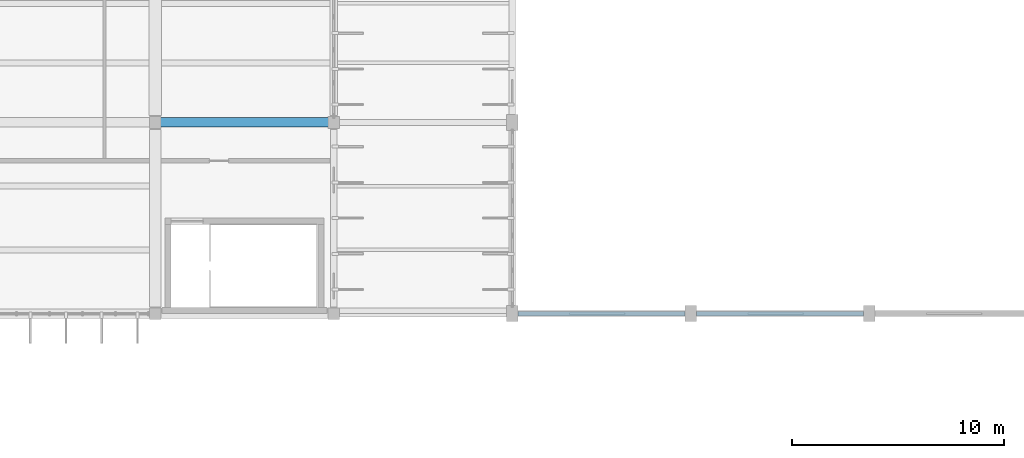
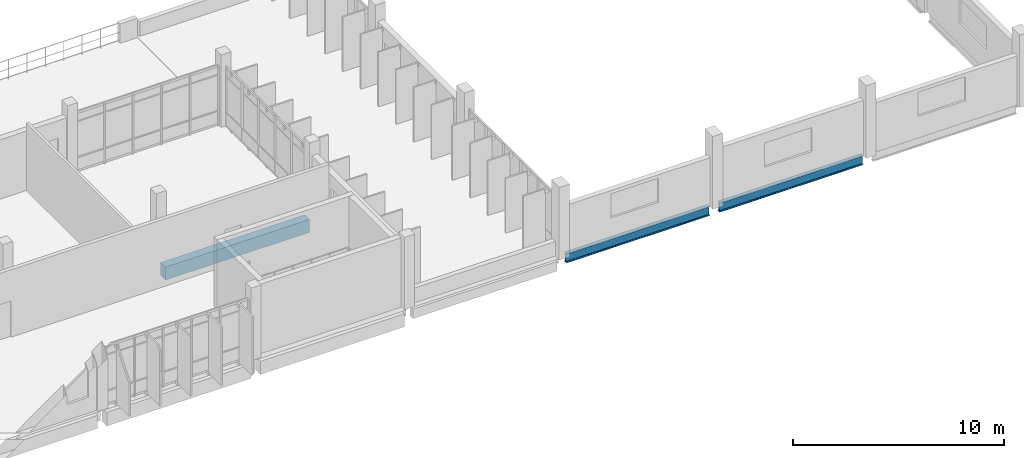
# One storey, part 86 of 130: 3 beams.
"""IFC4 building model written with IfcOpenShell, lengths in metres."""

import ifcopenshell
import ifcopenshell.guid

model = None  # the IFC model being written
_history = None  # IfcOwnerHistory: only IFC2X3 demands one
_inside = {}  # id of a spatial element -> (the spatial element, [elements in it])
_under = {}  # id of a project, library or spatial element -> (it, [spatial elements below it])
_declared = {}  # id of a project -> (the project, [libraries it declares])
_typed = {}  # id of a type object -> (the type object, [elements of that type])
_made_of = {}  # id of a material, layer set ... -> (it, [elements and type objects made of it])


def new_model(schema):
    """Start an empty IFC model of exactly this schema.

    Asked for "IFC4X3", IfcOpenShell would pick the latest addendum, in which some entities
    have other attributes; the version numbers below select the first issue.
    IFC2X3 requires an IfcOwnerHistory on every rooted entity: one is made here for all.
    """
    global model, _history
    if schema == "IFC4X3":
        model = ifcopenshell.file(schema_version=(4, 3, 0, 0))
    else:
        model = ifcopenshell.file(schema=schema)
    _inside.clear()
    _under.clear()
    _declared.clear()
    _typed.clear()
    _made_of.clear()
    _history = None
    if model.schema == "IFC2X3":
        org = make("IfcOrganization", Name="unknown")
        user = make(
            "IfcPersonAndOrganization",
            ThePerson=make("IfcPerson", FamilyName="unknown"),
            TheOrganization=org,
        )
        app = make(
            "IfcApplication",
            ApplicationDeveloper=org,
            Version="unknown",
            ApplicationFullName="unknown",
            ApplicationIdentifier="unknown",
        )
        _history = make(
            "IfcOwnerHistory",
            OwningUser=user,
            OwningApplication=app,
            ChangeAction="ADDED",
            CreationDate=0,
        )
    return model


def make(cls, **values):
    """One entity of the class cls with the attributes given. An attribute that is None is left unset."""
    return model.create_entity(
        cls, **{name: value for name, value in values.items() if value is not None}
    )


def rooted(cls, **values):
    """An entity with a GlobalId (a new one), such as an element, a storey or a relation."""
    return make(cls, GlobalId=ifcopenshell.guid.new(), OwnerHistory=_history, **values)


def si_unit(unit_type, name, prefix=None):
    """IfcSIUnit, for example si_unit("LENGTHUNIT", "METRE", prefix="MILLI")."""
    return make("IfcSIUnit", UnitType=unit_type, Prefix=prefix, Name=name)


def assignment(units):
    """IfcUnitAssignment: the units of a project."""
    return None if units is None else make("IfcUnitAssignment", Units=units)


def point(xyz):
    """IfcCartesianPoint."""
    return None if xyz is None else make("IfcCartesianPoint", Coordinates=xyz)


def direction(xyz):
    """IfcDirection."""
    return None if xyz is None else make("IfcDirection", DirectionRatios=xyz)


def frame(location, z_axis=None, x_axis=None):
    """IfcAxis2Placement3D, a coordinate frame: its origin and axes. An axis left out is left unset."""
    return make(
        "IfcAxis2Placement3D",
        Location=point(location),
        Axis=direction(z_axis),
        RefDirection=direction(x_axis),
    )


def frame_2d(location, x_axis=None):
    """IfcAxis2Placement2D, a coordinate frame in the plane: its origin and x axis."""
    return make(
        "IfcAxis2Placement2D", Location=point(location), RefDirection=direction(x_axis)
    )


def origin():
    """The frame at (0, 0, 0) with its axes left unset."""
    return frame((0.0, 0.0, 0.0))


def origin_2d():
    """The frame at (0, 0) in the plane with its x axis left unset."""
    return frame_2d((0.0, 0.0))


def place(relative_to, where):
    """IfcLocalPlacement: puts the frame where relative to a parent placement (None: the world)."""
    return make(
        "IfcLocalPlacement", PlacementRelTo=relative_to, RelativePlacement=where
    )


def context(
    kind, dimensions, precision=None, world=None, true_north=None, identifier=None
):
    """IfcGeometricRepresentationContext, for example the 3D "Model" context."""
    return make(
        "IfcGeometricRepresentationContext",
        ContextIdentifier=identifier,
        ContextType=kind,
        CoordinateSpaceDimension=dimensions,
        Precision=precision,
        WorldCoordinateSystem=world,
        TrueNorth=true_north,
    )


def subcontext(parent, identifier, kind, view, scale=None):
    """IfcGeometricRepresentationSubContext, for example "Body" below "Model"."""
    return make(
        "IfcGeometricRepresentationSubContext",
        ContextIdentifier=identifier,
        ContextType=kind,
        ParentContext=parent,
        TargetScale=scale,
        TargetView=view,
    )


def project(units=None, contexts=None):
    """IfcProject with its units and contexts."""
    return rooted(
        "IfcProject",
        Name="project",
        RepresentationContexts=contexts,
        UnitsInContext=assignment(units),
    )


def spatial(cls, under=None, at=None, **own):
    """A site, building, storey or space (cls), placed at a placement, below another one or the project."""
    s = rooted(cls, ObjectPlacement=at, **own)
    if under is not None:
        _under.setdefault(under.id(), (under, []))[1].append(s)
    return s


def profile(cls, at=None, kind="AREA", **sizes):
    """A parametric profile (cls). Its sizes go by their IFC names, for example OverallWidth=200.0."""
    return make(cls, ProfileType=kind, Position=at, **sizes)


def rectangle(**sizes):
    """IfcRectangleProfileDef."""
    return profile("IfcRectangleProfileDef", **sizes)


def i_section(**sizes):
    """IfcIShapeProfileDef."""
    return profile("IfcIShapeProfileDef", **sizes)


def extrude(swept, where, along, depth):
    """IfcExtrudedAreaSolid: the profile swept, set in the frame where, extruded along a direction by depth."""
    return make(
        "IfcExtrudedAreaSolid",
        SweptArea=swept,
        Position=where,
        ExtrudedDirection=direction(along),
        Depth=depth,
    )


def shape(context_of_items, identifier, shape_type, items):
    """IfcShapeRepresentation: the items that make up one representation, for example the "Body"."""
    return make(
        "IfcShapeRepresentation",
        ContextOfItems=context_of_items,
        RepresentationIdentifier=identifier,
        RepresentationType=shape_type,
        Items=items,
    )


def material(Name=None, Category=None):
    """IfcMaterial."""
    return make("IfcMaterial", Name=Name, Category=Category)


def material_profile(
    of_material, cross_section, Name=None, Category=None, Priority=None
):
    """IfcMaterialProfile: a cross section and its material."""
    return make(
        "IfcMaterialProfile",
        Name=Name,
        Material=of_material,
        Profile=cross_section,
        Priority=Priority,
        Category=Category,
    )


def profile_set(profiles, Name=None, composite=None):
    """IfcMaterialProfileSet."""
    return make(
        "IfcMaterialProfileSet",
        Name=Name,
        MaterialProfiles=profiles,
        CompositeProfile=composite,
    )


def made_of(thing, what):
    """Note that an element or type object is made of a material, layer set ...; save() writes the relation."""
    if what is not None:
        _made_of.setdefault(what.id(), (what, []))[1].append(thing)
    return thing


def type_object(cls, material=None, **own):
    """A type object (cls), such as IfcWallType, which elements share."""
    return made_of(rooted(cls, **own), material)


def element(
    cls,
    number,
    at=None,
    inside=None,
    cuts=None,
    type_object=None,
    material=None,
    context=None,
    identifier="Body",
    shape_type=None,
    held_by="IfcProductDefinitionShape",
    body=None,
    shapes=None,
    **own,
):
    """One element of the class cls, such as IfcWall. Its Tag is "e" and its number.

    at: its placement. inside: the storey or other place that contains it. cuts: it is an
    opening in that element (IfcRelVoidsElement). A single representation is given by context,
    identifier, shape_type and body (its items); several are given by shapes. held_by: the class
    of the entity that holds the representations. save() writes the other relations.
    """
    e = rooted(cls, Tag="e%d" % number, ObjectPlacement=at, **own)
    if body is not None:
        shapes = [shape(context, identifier, shape_type, body)]
    if shapes is not None:
        e.Representation = make(held_by, Representations=shapes)
    if inside is not None:
        _inside.setdefault(inside.id(), (inside, []))[1].append(e)
    if cuts is not None:
        rooted(
            "IfcRelVoidsElement", RelatingBuildingElement=cuts, RelatedOpeningElement=e
        )
    if type_object is not None:
        _typed.setdefault(type_object.id(), (type_object, []))[1].append(e)
    return made_of(e, material)


def aggregate(whole, parts):
    """IfcRelAggregates: a whole, such as a stair, and the parts it consists of."""
    return rooted("IfcRelAggregates", RelatingObject=whole, RelatedObjects=parts)


def save(model, path):
    """Write the relations noted so far, then the file.

    IfcRelAggregates (storeys below a building ...), IfcRelContainedInSpatialStructure (elements
    in a storey), IfcRelDefinesByType, IfcRelAssociatesMaterial and IfcRelDeclares: one each for
    every whole, place, type object, material and project.
    """
    for whole, parts in _under.values():
        aggregate(whole, parts)
    for where, things in _inside.values():
        rooted(
            "IfcRelContainedInSpatialStructure",
            RelatedElements=things,
            RelatingStructure=where,
        )
    for kind, things in _typed.values():
        rooted("IfcRelDefinesByType", RelatedObjects=things, RelatingType=kind)
    for what, things in _made_of.values():
        rooted("IfcRelAssociatesMaterial", RelatedObjects=things, RelatingMaterial=what)
    for by, libraries in _declared.values():
        rooted("IfcRelDeclares", RelatingContext=by, RelatedDefinitions=libraries)
    model.write(path)


model = new_model("IFC4")

# Units and contexts
model_context = context("Model", 3, precision=1e-05, world=origin(), true_north=direction((0.0, 1.0)))
body_context = subcontext(model_context, "Body", "Model", "MODEL_VIEW")
ifc_project = project(units=[si_unit("LENGTHUNIT", "METRE"), si_unit("AREAUNIT", "SQUARE_METRE"), si_unit("VOLUMEUNIT", "CUBIC_METRE"), si_unit("PLANEANGLEUNIT", "RADIAN"), si_unit("MASSUNIT", "GRAM", prefix="KILO")], contexts=[model_context])

# Site, building, storey
site_placement = place(None, origin())
site = spatial("IfcSite", under=ifc_project, at=site_placement, CompositionType="ELEMENT")
building_placement = place(site_placement, origin())
building = spatial("IfcBuilding", under=site, at=building_placement, Name="Vireocrest Preparatory School", CompositionType="ELEMENT")
storey_placement = place(building_placement, frame((0.0, 0.0, 9.0)))
storey = spatial("IfcBuildingStorey", under=building, at=storey_placement, Name="L02", CompositionType="ELEMENT", Elevation=9.0)

# Beams
ifc_material_1 = material(Name="Structural steel ASTM A992 Grade 50", Category="steel")
ifc_material_profile_1 = material_profile(ifc_material_1, i_section(OverallWidth=0.208984375, OverallDepth=0.532958984375, WebThickness=0.01025390625, FlangeThickness=0.015625, FilletRadius=0.014892578125, at=origin_2d()), Name="W21X62")
ifc_profile_set_1 = profile_set([ifc_material_profile_1], Name="Structural steel ASTM A992 Grade 50")
beam_type_1 = type_object("IfcBeamType", Name="Court Tie Girder W21X62", PredefinedType="BEAM", material=ifc_profile_set_1)
beam_1_placement = place(storey_placement, frame((143.070068359375, 18.0, -0.2666015625), z_axis=(1.0, 0.0, 0.0), x_axis=(0.0, 1.0, 0.0)))
element("IfcBeam", 1, at=beam_1_placement, inside=storey, type_object=beam_type_1, Name="Hall Perimeter Wall Girt SB5 L02-27", PredefinedType="BEAM", context=body_context, shape_type="SweptSolid", body=[
    extrude(i_section(OverallWidth=0.208984375, OverallDepth=0.532958984375, WebThickness=0.01025390625, FlangeThickness=0.015625, FilletRadius=0.014892578125, at=origin_2d()), origin(), (0.0, 0.0, 1.0), 7.85986328125),
])
beam_2_placement = place(storey_placement, frame((151.469970703125, 18.0, -0.2666015625), z_axis=(1.0, 0.0, 0.0), x_axis=(0.0, 1.0, 0.0)))
element("IfcBeam", 2, at=beam_2_placement, inside=storey, type_object=beam_type_1, Name="Hall Perimeter Wall Girt SB5 L02-28", PredefinedType="BEAM", context=body_context, shape_type="SweptSolid", body=[
    extrude(i_section(OverallWidth=0.208984375, OverallDepth=0.532958984375, WebThickness=0.01025390625, FlangeThickness=0.015625, FilletRadius=0.014892578125, at=origin_2d()), origin(), (0.0, 0.0, 1.0), 7.860107421875),
])
ifc_material_2 = material(Name="Concrete 40 MPa", Category="concrete")
ifc_material_profile_2 = material_profile(ifc_material_2, rectangle(XDim=0.449951171875, YDim=0.75, at=origin_2d()), Name="RC 450x750")
ifc_profile_set_2 = profile_set([ifc_material_profile_2], Name="Concrete 40 MPa")
beam_type_2 = type_object("IfcBeamType", Name="RC Library Stack Girder 450x750", PredefinedType="BEAM", material=ifc_profile_set_2)
beam_3_placement = place(storey_placement, frame((126.25, 27.0, -0.635009765625), z_axis=(1.0, 0.0, 0.0), x_axis=(0.0, 1.0, 0.0)))
element("IfcBeam", 3, at=beam_3_placement, inside=storey, type_object=beam_type_2, Name="Primary Girder B11 L02-0701", PredefinedType="BEAM", context=body_context, shape_type="SweptSolid", body=[
    extrude(rectangle(XDim=0.449951171875, YDim=0.75, at=origin_2d()), origin(), (0.0, 0.0, 1.0), 7.89990234375),
])

save(model, "model.ifc")
